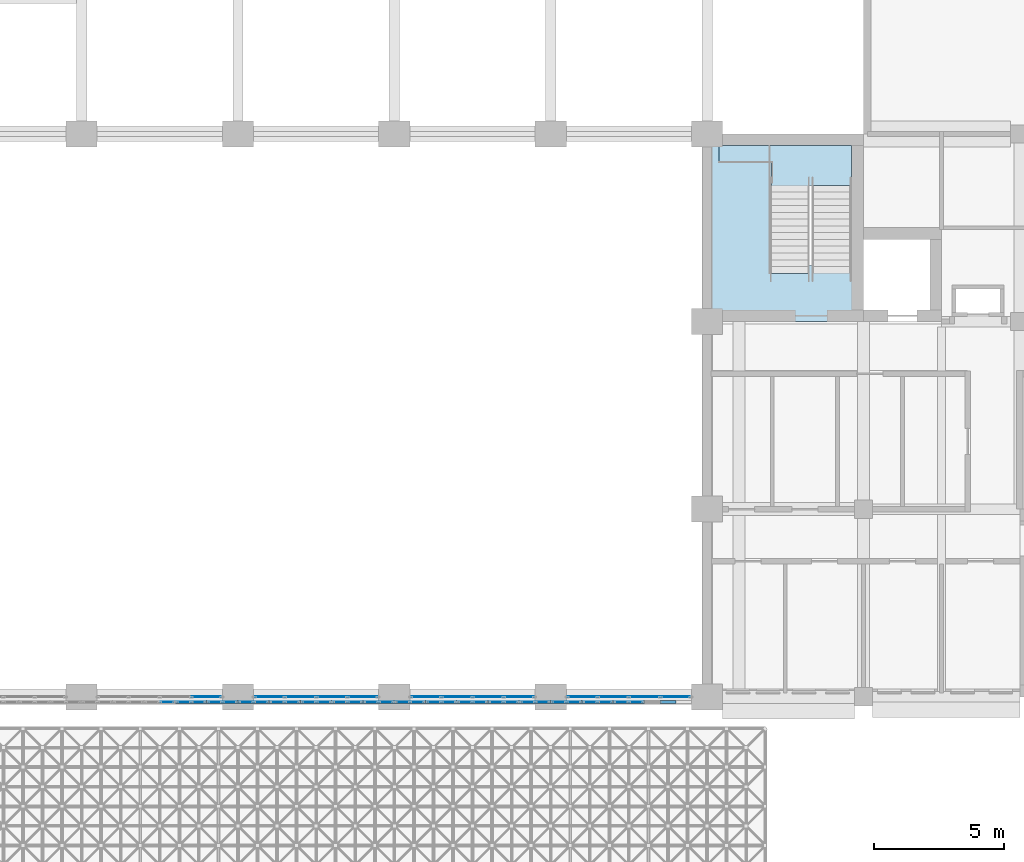
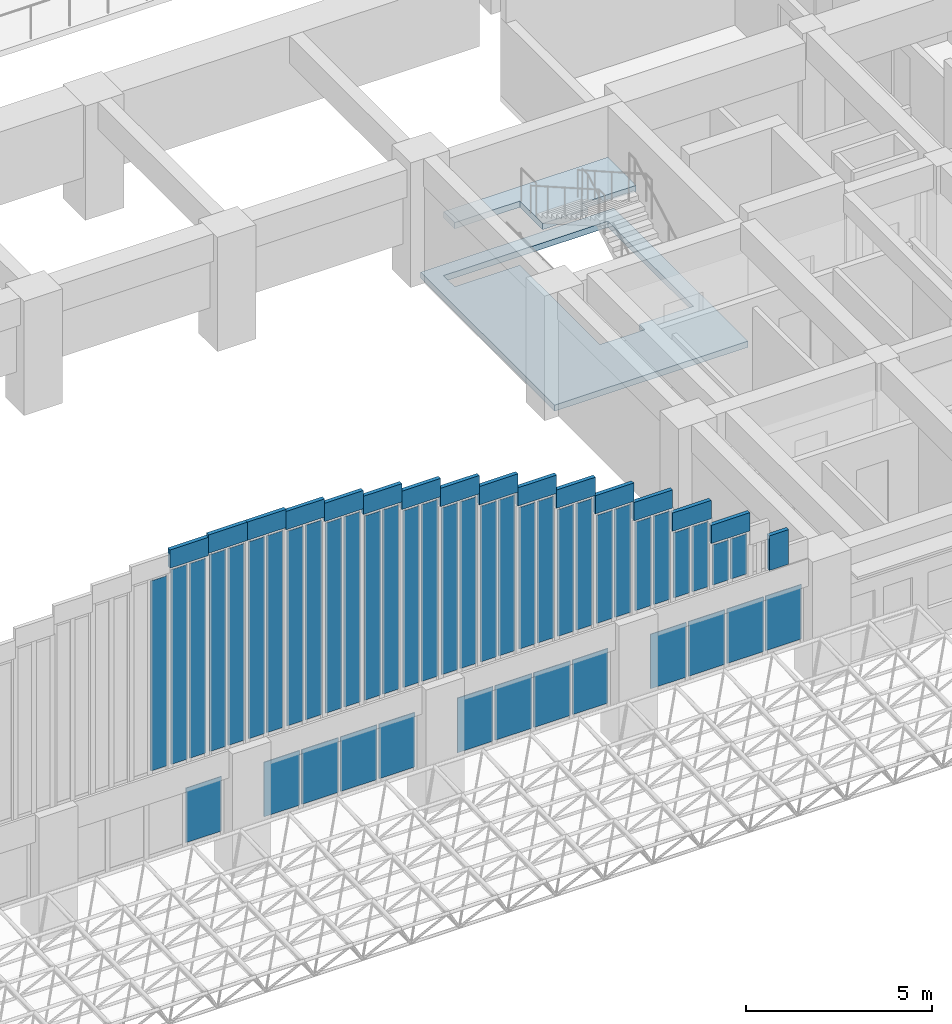
# One storey, part 47 of 103: 60 plates, 2 slabs, 21 elements without a shape of their own.
"""IFC4 building model written with IfcOpenShell, lengths in metres."""

from ifc_helpers import new_model, si_unit, direction, frame, origin, origin_2d, place, context, subcontext, project, spatial, polyline, rectangle, outline, extrude, material, layer, layer_set, type_object, element, aggregate, save


model = new_model("IFC4")

# Units and contexts
model_context = context("Model", 3, precision=1e-05, world=origin(), true_north=direction((0.0, 1.0)))
body_context = subcontext(model_context, "Body", "Model", "MODEL_VIEW")
ifc_project = project(units=[si_unit("LENGTHUNIT", "METRE"), si_unit("AREAUNIT", "SQUARE_METRE"), si_unit("VOLUMEUNIT", "CUBIC_METRE"), si_unit("PLANEANGLEUNIT", "RADIAN"), si_unit("MASSUNIT", "GRAM", prefix="KILO")], contexts=[model_context])

# Site, building, storey
site_placement = place(None, origin())
site = spatial("IfcSite", under=ifc_project, at=site_placement, CompositionType="ELEMENT")
building_placement = place(site_placement, origin())
building = spatial("IfcBuilding", under=site, at=building_placement, Name="Laocheng Heights Fire and Rescue Headquarters", CompositionType="ELEMENT")
storey_placement = place(building_placement, frame((0.0, 0.0, 4.199951171875)))
storey = spatial("IfcBuildingStorey", under=building, at=storey_placement, Name="L01", CompositionType="ELEMENT", Elevation=4.199951171875)

# Plates
ifc_material_1 = material(Name="Aluminium shadow-box panel, insulated and back-painted", Category="aluminium")
ifc_layer_1 = layer(ifc_material_1, 0.1201171875)
ifc_layer_set_1 = layer_set([ifc_layer_1], Name="Aluminium shadow-box panel, insulated and back-painted")
plate_type_1 = type_object("IfcPlateType", Name="GABLE STEP PLATE 120", PredefinedType="SHEET", material=ifc_layer_set_1)
for number, where, z_axis, x_axis, name in (
    (1, (34.199951171875, -0.196533203125, 10.676025390625), (0.0, 0.0, 1.0), (1.0, 0.0, 0.0), "Gable step plate S15"),
    (2, (35.39990234375, -0.196533203125, 10.7490234375), (0.0, 0.0, 1.0), (1.0, 0.0, 0.0), "Gable step plate S16"),
    (3, (36.60009765625, -0.196533203125, 10.7490234375), (0.0, 0.0, 1.0), (1.0, 0.0, 0.0), "Gable step plate S17"),
    (4, (37.800048828125, -0.196533203125, 10.676025390625), (0.0, 0.0, 1.0), (1.0, 0.0, 0.0), "Gable step plate S18"),
    (5, (39.0, -0.196533203125, 10.528076171875), (0.0, 0.0, 1.0), (1.0, 0.0, 0.0), "Gable step plate S19"),
    (6, (40.199951171875, -0.196533203125, 10.3359375), (0.0, 0.0, 1.0), (1.0, 0.0, 0.0), "Gable step plate S20"),
    (7, (41.39990234375, -0.196533203125, 10.0849609375), (0.0, 0.0, 1.0), (1.0, 0.0, 0.0), "Gable step plate S21"),
    (8, (42.60009765625, -0.196533203125, 9.759033203125), (0.0, 0.0, 1.0), (1.0, 0.0, 0.0), "Gable step plate S22"),
    (9, (43.800048828125, -0.196533203125, 9.39599609375), (0.0, 0.0, 1.0), (1.0, 0.0, 0.0), "Gable step plate S23"),
    (10, (45.0, -0.196533203125, 8.93603515625), (0.0, 0.0, 1.0), (1.0, 0.0, 0.0), "Gable step plate S24"),
    (11, (46.199951171875, -0.196533203125, 8.443115234375), (0.0, 0.0, 1.0), (1.0, 0.0, 0.0), "Gable step plate S25"),
    (12, (47.39990234375, -0.196533203125, 7.8359375), (0.0, 0.0, 1.0), (1.0, 0.0, 0.0), "Gable step plate S26"),
    (13, (48.60009765625, -0.196533203125, 7.18994140625), (0.0, 0.0, 1.0), (1.0, 0.0, 0.0), "Gable step plate S27"),
    (14, (49.800048828125, -0.196533203125, 6.426025390625), (0.0, 0.0, 1.0), (1.0, 0.0, 0.0), "Gable step plate S28"),
    (15, (51.0, -0.196533203125, 5.60205078125), (0.0, 0.0, 1.0), (1.0, 0.0, 0.0), "Gable step plate S29"),
):
    element("IfcPlate", number, at=place(storey_placement, frame(where, z_axis=z_axis, x_axis=x_axis)), inside=storey, type_object=plate_type_1, Name=name, PredefinedType="SHEET", context=body_context, shape_type="SweptSolid", body=[
        extrude(rectangle(XDim=1.199951171875, YDim=0.1201171875, at=origin_2d()), origin(), (0.0, 0.0, 1.0), 0.60009765625),
    ])
plate_1_placement = place(storey_placement, frame((52.5, -0.196533203125, 4.09033203125), z_axis=(0.0, 0.0, 1.0), x_axis=(1.0, 0.0, 0.0)))
element("IfcPlate", 16, at=plate_1_placement, inside=storey, type_object=plate_type_1, Name="Gable step plate S31", PredefinedType="SHEET", context=body_context, shape_type="SweptSolid", body=[
    extrude(rectangle(XDim=0.60009765625, YDim=0.1201171875, at=origin_2d()), origin(), (0.0, 0.0, 1.0), 1.134521484375),
])

# Curtain wall, plate
ifc_material_2 = material(Name="Aluminium gable glazing, low-e double glazing", Category="aluminium")
curtain_wall_type_1 = type_object("IfcCurtainWallType", Name="GABLE SPANDREL GLAZED UNIT 4800 x 1990", PredefinedType="NOTDEFINED", material=ifc_material_2)
curtain_wall_1_placement = place(storey_placement, origin())
curtain_wall_1 = element("IfcCurtainWall", 17, at=curtain_wall_1_placement, inside=storey, type_object=curtain_wall_type_1, Name="Gable spandrel glazing S3", PredefinedType="NOTDEFINED")
ifc_material_3 = material(Name="Low-e double glazed unit, laminated inner pane")
ifc_layer_2 = layer(ifc_material_3, 0.028076171875)
ifc_layer_set_2 = layer_set([ifc_layer_2], Name="Low-e double glazed unit, laminated inner pane")
plate_type_2 = type_object("IfcPlateType", Name="GABLE VISION PANEL 28", PredefinedType="CURTAIN_PANEL", material=ifc_layer_set_2)
plate_2_placement = place(storey_placement, frame((34.784912109375, 0.0, 1.300048828125), z_axis=(0.0, 0.0, 1.0), x_axis=(1.0, 0.0, 0.0)))
plate_2 = element("IfcPlate", 18, at=plate_2_placement, type_object=plate_type_2, Name="X1-D panel 4.1", PredefinedType="CURTAIN_PANEL", context=body_context, shape_type="SweptSolid", body=[
    extrude(rectangle(XDim=1.110107421875, YDim=0.028076171875, at=origin_2d()), origin(), (0.0, 0.0, 1.0), 1.79052734375),
])
aggregate(curtain_wall_1, [plate_2])

# Curtain wall, plates
curtain_wall_2_placement = place(storey_placement, origin())
curtain_wall_2 = element("IfcCurtainWall", 19, at=curtain_wall_2_placement, inside=storey, type_object=curtain_wall_type_1, Name="Gable spandrel glazing S4", PredefinedType="NOTDEFINED")
plate_3_placement = place(storey_placement, frame((37.215087890625, 0.0, 1.300048828125), z_axis=(0.0, 0.0, 1.0), x_axis=(1.0, 0.0, 0.0)))
plate_3 = element("IfcPlate", 20, at=plate_3_placement, type_object=plate_type_2, Name="X1-D panel 1.1", PredefinedType="CURTAIN_PANEL", context=body_context, shape_type="SweptSolid", body=[
    extrude(rectangle(XDim=1.110107421875, YDim=0.028076171875, at=origin_2d()), origin(), (0.0, 0.0, 1.0), 1.79052734375),
])
plate_4_placement = place(storey_placement, frame((38.39990234375, 0.0, 1.300048828125), z_axis=(0.0, 0.0, 1.0), x_axis=(1.0, 0.0, 0.0)))
plate_4 = element("IfcPlate", 21, at=plate_4_placement, type_object=plate_type_2, Name="X1-D panel 2.1", PredefinedType="CURTAIN_PANEL", context=body_context, shape_type="SweptSolid", body=[
    extrude(rectangle(XDim=1.139892578125, YDim=0.028076171875, at=origin_2d()), origin(), (0.0, 0.0, 1.0), 1.79052734375),
])
plate_5_placement = place(storey_placement, frame((39.60009765625, 0.0, 1.300048828125), z_axis=(0.0, 0.0, 1.0), x_axis=(1.0, 0.0, 0.0)))
plate_5 = element("IfcPlate", 22, at=plate_5_placement, type_object=plate_type_2, Name="X1-D panel 3.1", PredefinedType="CURTAIN_PANEL", context=body_context, shape_type="SweptSolid", body=[
    extrude(rectangle(XDim=1.139892578125, YDim=0.028076171875, at=origin_2d()), origin(), (0.0, 0.0, 1.0), 1.79052734375),
])
plate_6_placement = place(storey_placement, frame((40.784912109375, 0.0, 1.300048828125), z_axis=(0.0, 0.0, 1.0), x_axis=(1.0, 0.0, 0.0)))
plate_6 = element("IfcPlate", 23, at=plate_6_placement, type_object=plate_type_2, Name="X1-D panel 4.1", PredefinedType="CURTAIN_PANEL", context=body_context, shape_type="SweptSolid", body=[
    extrude(rectangle(XDim=1.110107421875, YDim=0.028076171875, at=origin_2d()), origin(), (0.0, 0.0, 1.0), 1.79052734375),
])
aggregate(curtain_wall_2, [plate_3, plate_4, plate_5, plate_6])

curtain_wall_3_placement = place(storey_placement, origin())
curtain_wall_3 = element("IfcCurtainWall", 24, at=curtain_wall_3_placement, inside=storey, type_object=curtain_wall_type_1, Name="Gable spandrel glazing S5", PredefinedType="NOTDEFINED")
plate_7_placement = place(storey_placement, frame((43.215087890625, 0.0, 1.300048828125), z_axis=(0.0, 0.0, 1.0), x_axis=(1.0, 0.0, 0.0)))
plate_7 = element("IfcPlate", 25, at=plate_7_placement, type_object=plate_type_2, Name="X1-D panel 1.1", PredefinedType="CURTAIN_PANEL", context=body_context, shape_type="SweptSolid", body=[
    extrude(rectangle(XDim=1.110107421875, YDim=0.028076171875, at=origin_2d()), origin(), (0.0, 0.0, 1.0), 1.79052734375),
])
plate_8_placement = place(storey_placement, frame((44.39990234375, 0.0, 1.300048828125), z_axis=(0.0, 0.0, 1.0), x_axis=(1.0, 0.0, 0.0)))
plate_8 = element("IfcPlate", 26, at=plate_8_placement, type_object=plate_type_2, Name="X1-D panel 2.1", PredefinedType="CURTAIN_PANEL", context=body_context, shape_type="SweptSolid", body=[
    extrude(rectangle(XDim=1.139892578125, YDim=0.028076171875, at=origin_2d()), origin(), (0.0, 0.0, 1.0), 1.79052734375),
])
plate_9_placement = place(storey_placement, frame((45.60009765625, 0.0, 1.300048828125), z_axis=(0.0, 0.0, 1.0), x_axis=(1.0, 0.0, 0.0)))
plate_9 = element("IfcPlate", 27, at=plate_9_placement, type_object=plate_type_2, Name="X1-D panel 3.1", PredefinedType="CURTAIN_PANEL", context=body_context, shape_type="SweptSolid", body=[
    extrude(rectangle(XDim=1.139892578125, YDim=0.028076171875, at=origin_2d()), origin(), (0.0, 0.0, 1.0), 1.79052734375),
])
plate_10_placement = place(storey_placement, frame((46.784912109375, 0.0, 1.300048828125), z_axis=(0.0, 0.0, 1.0), x_axis=(1.0, 0.0, 0.0)))
plate_10 = element("IfcPlate", 28, at=plate_10_placement, type_object=plate_type_2, Name="X1-D panel 4.1", PredefinedType="CURTAIN_PANEL", context=body_context, shape_type="SweptSolid", body=[
    extrude(rectangle(XDim=1.110107421875, YDim=0.028076171875, at=origin_2d()), origin(), (0.0, 0.0, 1.0), 1.79052734375),
])
aggregate(curtain_wall_3, [plate_7, plate_8, plate_9, plate_10])

curtain_wall_4_placement = place(storey_placement, origin())
curtain_wall_4 = element("IfcCurtainWall", 29, at=curtain_wall_4_placement, inside=storey, type_object=curtain_wall_type_1, Name="Gable spandrel glazing S6", PredefinedType="NOTDEFINED")
plate_11_placement = place(storey_placement, frame((49.215087890625, 0.0, 1.300048828125), z_axis=(0.0, 0.0, 1.0), x_axis=(1.0, 0.0, 0.0)))
plate_11 = element("IfcPlate", 30, at=plate_11_placement, type_object=plate_type_2, Name="X1-D panel 1.1", PredefinedType="CURTAIN_PANEL", context=body_context, shape_type="SweptSolid", body=[
    extrude(rectangle(XDim=1.110107421875, YDim=0.028076171875, at=origin_2d()), origin(), (0.0, 0.0, 1.0), 1.79052734375),
])
plate_12_placement = place(storey_placement, frame((50.39990234375, 0.0, 1.300048828125), z_axis=(0.0, 0.0, 1.0), x_axis=(1.0, 0.0, 0.0)))
plate_12 = element("IfcPlate", 31, at=plate_12_placement, type_object=plate_type_2, Name="X1-D panel 2.1", PredefinedType="CURTAIN_PANEL", context=body_context, shape_type="SweptSolid", body=[
    extrude(rectangle(XDim=1.139892578125, YDim=0.028076171875, at=origin_2d()), origin(), (0.0, 0.0, 1.0), 1.79052734375),
])
plate_13_placement = place(storey_placement, frame((51.60009765625, 0.0, 1.300048828125), z_axis=(0.0, 0.0, 1.0), x_axis=(1.0, 0.0, 0.0)))
plate_13 = element("IfcPlate", 32, at=plate_13_placement, type_object=plate_type_2, Name="X1-D panel 3.1", PredefinedType="CURTAIN_PANEL", context=body_context, shape_type="SweptSolid", body=[
    extrude(rectangle(XDim=1.139892578125, YDim=0.028076171875, at=origin_2d()), origin(), (0.0, 0.0, 1.0), 1.79052734375),
])
plate_14_placement = place(storey_placement, frame((52.784912109375, 0.0, 1.300048828125), z_axis=(0.0, 0.0, 1.0), x_axis=(1.0, 0.0, 0.0)))
plate_14 = element("IfcPlate", 33, at=plate_14_placement, type_object=plate_type_2, Name="X1-D panel 4.1", PredefinedType="CURTAIN_PANEL", context=body_context, shape_type="SweptSolid", body=[
    extrude(rectangle(XDim=1.110107421875, YDim=0.028076171875, at=origin_2d()), origin(), (0.0, 0.0, 1.0), 1.79052734375),
])
aggregate(curtain_wall_4, [plate_11, plate_12, plate_13, plate_14])

# Curtain wall, plate
ifc_material_4 = material(Name="Aluminium gable glazing, low-e double glazing", Category="aluminium")
curtain_wall_type_2 = type_object("IfcCurtainWallType", Name="GABLE GLAZED UNIT 1200 x 6438", PredefinedType="NOTDEFINED", material=ifc_material_4)
curtain_wall_5_placement = place(storey_placement, origin())
curtain_wall_5 = element("IfcCurtainWall", 34, at=curtain_wall_5_placement, inside=storey, type_object=curtain_wall_type_2, Name="Gable glazing S14", PredefinedType="NOTDEFINED")
plate_15_placement = place(storey_placement, frame((33.284912109375, -0.196533203125, 4.1904296875), z_axis=(0.0, 0.0, 1.0), x_axis=(1.0, 0.0, 0.0)))
plate_15 = element("IfcPlate", 35, at=plate_15_placement, type_object=plate_type_2, Name="X13-D panel 2.1", PredefinedType="CURTAIN_PANEL", context=body_context, shape_type="SweptSolid", body=[
    extrude(rectangle(XDim=0.510009765625, YDim=0.028076171875, at=origin_2d()), origin(), (0.0, 0.0, 1.0), 6.237548828125),
])
aggregate(curtain_wall_5, [plate_15])

# Curtain wall, plates
ifc_material_5 = material(Name="Aluminium gable glazing, low-e double glazing", Category="aluminium")
curtain_wall_type_3 = type_object("IfcCurtainWallType", Name="GABLE GLAZED UNIT 1200 x 6586", PredefinedType="NOTDEFINED", material=ifc_material_5)
curtain_wall_6_placement = place(storey_placement, origin())
curtain_wall_6 = element("IfcCurtainWall", 36, at=curtain_wall_6_placement, inside=storey, type_object=curtain_wall_type_3, Name="Gable glazing S15", PredefinedType="NOTDEFINED")
plate_16_placement = place(storey_placement, frame((33.9150390625, -0.196533203125, 4.1904296875), z_axis=(0.0, 0.0, 1.0), x_axis=(1.0, 0.0, 0.0)))
plate_16 = element("IfcPlate", 37, at=plate_16_placement, type_object=plate_type_2, Name="X14-D panel 1.1", PredefinedType="CURTAIN_PANEL", context=body_context, shape_type="SweptSolid", body=[
    extrude(rectangle(XDim=0.510009765625, YDim=0.028076171875, at=origin_2d()), origin(), (0.0, 0.0, 1.0), 6.385498046875),
])
plate_17_placement = place(storey_placement, frame((34.485107421875, -0.196533203125, 4.1904296875), z_axis=(0.0, 0.0, 1.0), x_axis=(1.0, 0.0, 0.0)))
plate_17 = element("IfcPlate", 38, at=plate_17_placement, type_object=plate_type_2, Name="X14-D panel 2.1", PredefinedType="CURTAIN_PANEL", context=body_context, shape_type="SweptSolid", body=[
    extrude(rectangle(XDim=0.510009765625, YDim=0.028076171875, at=origin_2d()), origin(), (0.0, 0.0, 1.0), 6.385498046875),
])
aggregate(curtain_wall_6, [plate_16, plate_17])

ifc_material_6 = material(Name="Aluminium gable glazing, low-e double glazing", Category="aluminium")
curtain_wall_type_4 = type_object("IfcCurtainWallType", Name="GABLE GLAZED UNIT 1200 x 6658", PredefinedType="NOTDEFINED", material=ifc_material_6)
curtain_wall_7_placement = place(storey_placement, origin())
curtain_wall_7 = element("IfcCurtainWall", 39, at=curtain_wall_7_placement, inside=storey, type_object=curtain_wall_type_4, Name="Gable glazing S16", PredefinedType="NOTDEFINED")
plate_18_placement = place(storey_placement, frame((35.114990234375, -0.196533203125, 4.1904296875), z_axis=(0.0, 0.0, 1.0), x_axis=(1.0, 0.0, 0.0)))
plate_18 = element("IfcPlate", 40, at=plate_18_placement, type_object=plate_type_2, Name="X15-D panel 1.1", PredefinedType="CURTAIN_PANEL", context=body_context, shape_type="SweptSolid", body=[
    extrude(rectangle(XDim=0.510009765625, YDim=0.028076171875, at=origin_2d()), origin(), (0.0, 0.0, 1.0), 6.45849609375),
])
plate_19_placement = place(storey_placement, frame((35.68505859375, -0.196533203125, 4.1904296875), z_axis=(0.0, 0.0, 1.0), x_axis=(1.0, 0.0, 0.0)))
plate_19 = element("IfcPlate", 41, at=plate_19_placement, type_object=plate_type_2, Name="X15-D panel 2.1", PredefinedType="CURTAIN_PANEL", context=body_context, shape_type="SweptSolid", body=[
    extrude(rectangle(XDim=0.510009765625, YDim=0.028076171875, at=origin_2d()), origin(), (0.0, 0.0, 1.0), 6.45849609375),
])
aggregate(curtain_wall_7, [plate_18, plate_19])

curtain_wall_8_placement = place(storey_placement, origin())
curtain_wall_8 = element("IfcCurtainWall", 42, at=curtain_wall_8_placement, inside=storey, type_object=curtain_wall_type_4, Name="Gable glazing S17", PredefinedType="NOTDEFINED")
plate_20_placement = place(storey_placement, frame((36.31494140625, -0.196533203125, 4.1904296875), z_axis=(0.0, 0.0, 1.0), x_axis=(1.0, 0.0, 0.0)))
plate_20 = element("IfcPlate", 43, at=plate_20_placement, type_object=plate_type_2, Name="X15-D panel 1.1", PredefinedType="CURTAIN_PANEL", context=body_context, shape_type="SweptSolid", body=[
    extrude(rectangle(XDim=0.510009765625, YDim=0.028076171875, at=origin_2d()), origin(), (0.0, 0.0, 1.0), 6.45849609375),
])
plate_21_placement = place(storey_placement, frame((36.885009765625, -0.196533203125, 4.1904296875), z_axis=(0.0, 0.0, 1.0), x_axis=(1.0, 0.0, 0.0)))
plate_21 = element("IfcPlate", 44, at=plate_21_placement, type_object=plate_type_2, Name="X15-D panel 2.1", PredefinedType="CURTAIN_PANEL", context=body_context, shape_type="SweptSolid", body=[
    extrude(rectangle(XDim=0.510009765625, YDim=0.028076171875, at=origin_2d()), origin(), (0.0, 0.0, 1.0), 6.45849609375),
])
aggregate(curtain_wall_8, [plate_20, plate_21])

curtain_wall_9_placement = place(storey_placement, origin())
curtain_wall_9 = element("IfcCurtainWall", 45, at=curtain_wall_9_placement, inside=storey, type_object=curtain_wall_type_3, Name="Gable glazing S18", PredefinedType="NOTDEFINED")
plate_22_placement = place(storey_placement, frame((37.514892578125, -0.196533203125, 4.1904296875), z_axis=(0.0, 0.0, 1.0), x_axis=(1.0, 0.0, 0.0)))
plate_22 = element("IfcPlate", 46, at=plate_22_placement, type_object=plate_type_2, Name="X14-D panel 1.1", PredefinedType="CURTAIN_PANEL", context=body_context, shape_type="SweptSolid", body=[
    extrude(rectangle(XDim=0.510009765625, YDim=0.028076171875, at=origin_2d()), origin(), (0.0, 0.0, 1.0), 6.385498046875),
])
plate_23_placement = place(storey_placement, frame((38.0849609375, -0.196533203125, 4.1904296875), z_axis=(0.0, 0.0, 1.0), x_axis=(1.0, 0.0, 0.0)))
plate_23 = element("IfcPlate", 47, at=plate_23_placement, type_object=plate_type_2, Name="X14-D panel 2.1", PredefinedType="CURTAIN_PANEL", context=body_context, shape_type="SweptSolid", body=[
    extrude(rectangle(XDim=0.510009765625, YDim=0.028076171875, at=origin_2d()), origin(), (0.0, 0.0, 1.0), 6.385498046875),
])
aggregate(curtain_wall_9, [plate_22, plate_23])

curtain_wall_10_placement = place(storey_placement, origin())
curtain_wall_10 = element("IfcCurtainWall", 48, at=curtain_wall_10_placement, inside=storey, type_object=curtain_wall_type_2, Name="Gable glazing S19", PredefinedType="NOTDEFINED")
plate_24_placement = place(storey_placement, frame((38.715087890625, -0.196533203125, 4.1904296875), z_axis=(0.0, 0.0, 1.0), x_axis=(1.0, 0.0, 0.0)))
plate_24 = element("IfcPlate", 49, at=plate_24_placement, type_object=plate_type_2, Name="X13-D panel 1.1", PredefinedType="CURTAIN_PANEL", context=body_context, shape_type="SweptSolid", body=[
    extrude(rectangle(XDim=0.510009765625, YDim=0.028076171875, at=origin_2d()), origin(), (0.0, 0.0, 1.0), 6.237548828125),
])
plate_25_placement = place(storey_placement, frame((39.284912109375, -0.196533203125, 4.1904296875), z_axis=(0.0, 0.0, 1.0), x_axis=(1.0, 0.0, 0.0)))
plate_25 = element("IfcPlate", 50, at=plate_25_placement, type_object=plate_type_2, Name="X13-D panel 2.1", PredefinedType="CURTAIN_PANEL", context=body_context, shape_type="SweptSolid", body=[
    extrude(rectangle(XDim=0.510009765625, YDim=0.028076171875, at=origin_2d()), origin(), (0.0, 0.0, 1.0), 6.237548828125),
])
aggregate(curtain_wall_10, [plate_24, plate_25])

ifc_material_7 = material(Name="Aluminium gable glazing, low-e double glazing", Category="aluminium")
curtain_wall_type_5 = type_object("IfcCurtainWallType", Name="GABLE GLAZED UNIT 1200 x 6246", PredefinedType="NOTDEFINED", material=ifc_material_7)
curtain_wall_11_placement = place(storey_placement, origin())
curtain_wall_11 = element("IfcCurtainWall", 51, at=curtain_wall_11_placement, inside=storey, type_object=curtain_wall_type_5, Name="Gable glazing S20", PredefinedType="NOTDEFINED")
plate_26_placement = place(storey_placement, frame((39.9150390625, -0.196533203125, 4.190673828125), z_axis=(0.0, 0.0, 1.0), x_axis=(1.0, 0.0, 0.0)))
plate_26 = element("IfcPlate", 52, at=plate_26_placement, type_object=plate_type_2, Name="X12-D panel 1.1", PredefinedType="CURTAIN_PANEL", context=body_context, shape_type="SweptSolid", body=[
    extrude(rectangle(XDim=0.510009765625, YDim=0.028076171875, at=origin_2d()), origin(), (0.0, 0.0, 1.0), 6.04541015625),
])
plate_27_placement = place(storey_placement, frame((40.485107421875, -0.196533203125, 4.190673828125), z_axis=(0.0, 0.0, 1.0), x_axis=(1.0, 0.0, 0.0)))
plate_27 = element("IfcPlate", 53, at=plate_27_placement, type_object=plate_type_2, Name="X12-D panel 2.1", PredefinedType="CURTAIN_PANEL", context=body_context, shape_type="SweptSolid", body=[
    extrude(rectangle(XDim=0.510009765625, YDim=0.028076171875, at=origin_2d()), origin(), (0.0, 0.0, 1.0), 6.04541015625),
])
aggregate(curtain_wall_11, [plate_26, plate_27])

ifc_material_8 = material(Name="Aluminium gable glazing, low-e double glazing", Category="aluminium")
curtain_wall_type_6 = type_object("IfcCurtainWallType", Name="GABLE GLAZED UNIT 1200 x 5994", PredefinedType="NOTDEFINED", material=ifc_material_8)
curtain_wall_12_placement = place(storey_placement, origin())
curtain_wall_12 = element("IfcCurtainWall", 54, at=curtain_wall_12_placement, inside=storey, type_object=curtain_wall_type_6, Name="Gable glazing S21", PredefinedType="NOTDEFINED")
plate_28_placement = place(storey_placement, frame((41.114990234375, -0.196533203125, 4.190673828125), z_axis=(0.0, 0.0, 1.0), x_axis=(1.0, 0.0, 0.0)))
plate_28 = element("IfcPlate", 55, at=plate_28_placement, type_object=plate_type_2, Name="X11-D panel 1.1", PredefinedType="CURTAIN_PANEL", context=body_context, shape_type="SweptSolid", body=[
    extrude(rectangle(XDim=0.510009765625, YDim=0.028076171875, at=origin_2d()), origin(), (0.0, 0.0, 1.0), 5.79443359375),
])
plate_29_placement = place(storey_placement, frame((41.68505859375, -0.196533203125, 4.190673828125), z_axis=(0.0, 0.0, 1.0), x_axis=(1.0, 0.0, 0.0)))
plate_29 = element("IfcPlate", 56, at=plate_29_placement, type_object=plate_type_2, Name="X11-D panel 2.1", PredefinedType="CURTAIN_PANEL", context=body_context, shape_type="SweptSolid", body=[
    extrude(rectangle(XDim=0.510009765625, YDim=0.028076171875, at=origin_2d()), origin(), (0.0, 0.0, 1.0), 5.79443359375),
])
aggregate(curtain_wall_12, [plate_28, plate_29])

ifc_material_9 = material(Name="Aluminium gable glazing, low-e double glazing", Category="aluminium")
curtain_wall_type_7 = type_object("IfcCurtainWallType", Name="GABLE GLAZED UNIT 1200 x 5668", PredefinedType="NOTDEFINED", material=ifc_material_9)
curtain_wall_13_placement = place(storey_placement, origin())
curtain_wall_13 = element("IfcCurtainWall", 57, at=curtain_wall_13_placement, inside=storey, type_object=curtain_wall_type_7, Name="Gable glazing S22", PredefinedType="NOTDEFINED")
plate_30_placement = place(storey_placement, frame((42.31494140625, -0.196533203125, 4.1904296875), z_axis=(0.0, 0.0, 1.0), x_axis=(1.0, 0.0, 0.0)))
plate_30 = element("IfcPlate", 58, at=plate_30_placement, type_object=plate_type_2, Name="X10-D panel 1.1", PredefinedType="CURTAIN_PANEL", context=body_context, shape_type="SweptSolid", body=[
    extrude(rectangle(XDim=0.510009765625, YDim=0.028076171875, at=origin_2d()), origin(), (0.0, 0.0, 1.0), 5.468505859375),
])
plate_31_placement = place(storey_placement, frame((42.885009765625, -0.196533203125, 4.1904296875), z_axis=(0.0, 0.0, 1.0), x_axis=(1.0, 0.0, 0.0)))
plate_31 = element("IfcPlate", 59, at=plate_31_placement, type_object=plate_type_2, Name="X10-D panel 2.1", PredefinedType="CURTAIN_PANEL", context=body_context, shape_type="SweptSolid", body=[
    extrude(rectangle(XDim=0.510009765625, YDim=0.028076171875, at=origin_2d()), origin(), (0.0, 0.0, 1.0), 5.468505859375),
])
aggregate(curtain_wall_13, [plate_30, plate_31])

ifc_material_10 = material(Name="Aluminium gable glazing, low-e double glazing", Category="aluminium")
curtain_wall_type_8 = type_object("IfcCurtainWallType", Name="GABLE GLAZED UNIT 1200 x 5306", PredefinedType="NOTDEFINED", material=ifc_material_10)
curtain_wall_14_placement = place(storey_placement, origin())
curtain_wall_14 = element("IfcCurtainWall", 60, at=curtain_wall_14_placement, inside=storey, type_object=curtain_wall_type_8, Name="Gable glazing S23", PredefinedType="NOTDEFINED")
plate_32_placement = place(storey_placement, frame((43.514892578125, -0.196533203125, 4.190673828125), z_axis=(0.0, 0.0, 1.0), x_axis=(1.0, 0.0, 0.0)))
plate_32 = element("IfcPlate", 61, at=plate_32_placement, type_object=plate_type_2, Name="X9-D panel 1.1", PredefinedType="CURTAIN_PANEL", context=body_context, shape_type="SweptSolid", body=[
    extrude(rectangle(XDim=0.510009765625, YDim=0.028076171875, at=origin_2d()), origin(), (0.0, 0.0, 1.0), 5.10546875),
])
plate_33_placement = place(storey_placement, frame((44.0849609375, -0.196533203125, 4.190673828125), z_axis=(0.0, 0.0, 1.0), x_axis=(1.0, 0.0, 0.0)))
plate_33 = element("IfcPlate", 62, at=plate_33_placement, type_object=plate_type_2, Name="X9-D panel 2.1", PredefinedType="CURTAIN_PANEL", context=body_context, shape_type="SweptSolid", body=[
    extrude(rectangle(XDim=0.510009765625, YDim=0.028076171875, at=origin_2d()), origin(), (0.0, 0.0, 1.0), 5.10546875),
])
aggregate(curtain_wall_14, [plate_32, plate_33])

ifc_material_11 = material(Name="Aluminium gable glazing, low-e double glazing", Category="aluminium")
curtain_wall_type_9 = type_object("IfcCurtainWallType", Name="GABLE GLAZED UNIT 1200 x 4846", PredefinedType="NOTDEFINED", material=ifc_material_11)
curtain_wall_15_placement = place(storey_placement, origin())
curtain_wall_15 = element("IfcCurtainWall", 63, at=curtain_wall_15_placement, inside=storey, type_object=curtain_wall_type_9, Name="Gable glazing S24", PredefinedType="NOTDEFINED")
plate_34_placement = place(storey_placement, frame((44.715087890625, -0.196533203125, 4.1904296875), z_axis=(0.0, 0.0, 1.0), x_axis=(1.0, 0.0, 0.0)))
plate_34 = element("IfcPlate", 64, at=plate_34_placement, type_object=plate_type_2, Name="X8-D panel 1.1", PredefinedType="CURTAIN_PANEL", context=body_context, shape_type="SweptSolid", body=[
    extrude(rectangle(XDim=0.510009765625, YDim=0.028076171875, at=origin_2d()), origin(), (0.0, 0.0, 1.0), 4.6455078125),
])
plate_35_placement = place(storey_placement, frame((45.284912109375, -0.196533203125, 4.1904296875), z_axis=(0.0, 0.0, 1.0), x_axis=(1.0, 0.0, 0.0)))
plate_35 = element("IfcPlate", 65, at=plate_35_placement, type_object=plate_type_2, Name="X8-D panel 2.1", PredefinedType="CURTAIN_PANEL", context=body_context, shape_type="SweptSolid", body=[
    extrude(rectangle(XDim=0.510009765625, YDim=0.028076171875, at=origin_2d()), origin(), (0.0, 0.0, 1.0), 4.6455078125),
])
aggregate(curtain_wall_15, [plate_34, plate_35])

ifc_material_12 = material(Name="Aluminium gable glazing, low-e double glazing", Category="aluminium")
curtain_wall_type_10 = type_object("IfcCurtainWallType", Name="GABLE GLAZED UNIT 1200 x 4353", PredefinedType="NOTDEFINED", material=ifc_material_12)
curtain_wall_16_placement = place(storey_placement, origin())
curtain_wall_16 = element("IfcCurtainWall", 66, at=curtain_wall_16_placement, inside=storey, type_object=curtain_wall_type_10, Name="Gable glazing S25", PredefinedType="NOTDEFINED")
plate_36_placement = place(storey_placement, frame((45.9150390625, -0.196533203125, 4.1904296875), z_axis=(0.0, 0.0, 1.0), x_axis=(1.0, 0.0, 0.0)))
plate_36 = element("IfcPlate", 67, at=plate_36_placement, type_object=plate_type_2, Name="X7-D panel 1.1", PredefinedType="CURTAIN_PANEL", context=body_context, shape_type="SweptSolid", body=[
    extrude(rectangle(XDim=0.510009765625, YDim=0.028076171875, at=origin_2d()), origin(), (0.0, 0.0, 1.0), 4.152587890625),
])
plate_37_placement = place(storey_placement, frame((46.485107421875, -0.196533203125, 4.1904296875), z_axis=(0.0, 0.0, 1.0), x_axis=(1.0, 0.0, 0.0)))
plate_37 = element("IfcPlate", 68, at=plate_37_placement, type_object=plate_type_2, Name="X7-D panel 2.1", PredefinedType="CURTAIN_PANEL", context=body_context, shape_type="SweptSolid", body=[
    extrude(rectangle(XDim=0.510009765625, YDim=0.028076171875, at=origin_2d()), origin(), (0.0, 0.0, 1.0), 4.152587890625),
])
aggregate(curtain_wall_16, [plate_36, plate_37])

ifc_material_13 = material(Name="Aluminium gable glazing, low-e double glazing", Category="aluminium")
curtain_wall_type_11 = type_object("IfcCurtainWallType", Name="GABLE GLAZED UNIT 1200 x 3746", PredefinedType="NOTDEFINED", material=ifc_material_13)
curtain_wall_17_placement = place(storey_placement, origin())
curtain_wall_17 = element("IfcCurtainWall", 69, at=curtain_wall_17_placement, inside=storey, type_object=curtain_wall_type_11, Name="Gable glazing S26", PredefinedType="NOTDEFINED")
plate_38_placement = place(storey_placement, frame((47.114990234375, -0.196533203125, 4.190673828125), z_axis=(0.0, 0.0, 1.0), x_axis=(1.0, 0.0, 0.0)))
plate_38 = element("IfcPlate", 70, at=plate_38_placement, type_object=plate_type_2, Name="X6-D panel 1.1", PredefinedType="CURTAIN_PANEL", context=body_context, shape_type="SweptSolid", body=[
    extrude(rectangle(XDim=0.510009765625, YDim=0.028076171875, at=origin_2d()), origin(), (0.0, 0.0, 1.0), 3.54541015625),
])
plate_39_placement = place(storey_placement, frame((47.68505859375, -0.196533203125, 4.190673828125), z_axis=(0.0, 0.0, 1.0), x_axis=(1.0, 0.0, 0.0)))
plate_39 = element("IfcPlate", 71, at=plate_39_placement, type_object=plate_type_2, Name="X6-D panel 2.1", PredefinedType="CURTAIN_PANEL", context=body_context, shape_type="SweptSolid", body=[
    extrude(rectangle(XDim=0.510009765625, YDim=0.028076171875, at=origin_2d()), origin(), (0.0, 0.0, 1.0), 3.54541015625),
])
aggregate(curtain_wall_17, [plate_38, plate_39])

ifc_material_14 = material(Name="Aluminium gable glazing, low-e double glazing", Category="aluminium")
curtain_wall_type_12 = type_object("IfcCurtainWallType", Name="GABLE GLAZED UNIT 1200 x 3100", PredefinedType="NOTDEFINED", material=ifc_material_14)
curtain_wall_18_placement = place(storey_placement, origin())
curtain_wall_18 = element("IfcCurtainWall", 72, at=curtain_wall_18_placement, inside=storey, type_object=curtain_wall_type_12, Name="Gable glazing S27", PredefinedType="NOTDEFINED")
plate_40_placement = place(storey_placement, frame((48.31494140625, -0.196533203125, 4.190673828125), z_axis=(0.0, 0.0, 1.0), x_axis=(1.0, 0.0, 0.0)))
plate_40 = element("IfcPlate", 73, at=plate_40_placement, type_object=plate_type_2, Name="X5-D panel 1.1", PredefinedType="CURTAIN_PANEL", context=body_context, shape_type="SweptSolid", body=[
    extrude(rectangle(XDim=0.510009765625, YDim=0.028076171875, at=origin_2d()), origin(), (0.0, 0.0, 1.0), 2.8994140625),
])
plate_41_placement = place(storey_placement, frame((48.885009765625, -0.196533203125, 4.190673828125), z_axis=(0.0, 0.0, 1.0), x_axis=(1.0, 0.0, 0.0)))
plate_41 = element("IfcPlate", 74, at=plate_41_placement, type_object=plate_type_2, Name="X5-D panel 2.1", PredefinedType="CURTAIN_PANEL", context=body_context, shape_type="SweptSolid", body=[
    extrude(rectangle(XDim=0.510009765625, YDim=0.028076171875, at=origin_2d()), origin(), (0.0, 0.0, 1.0), 2.8994140625),
])
aggregate(curtain_wall_18, [plate_40, plate_41])

ifc_material_15 = material(Name="Aluminium gable glazing, low-e double glazing", Category="aluminium")
curtain_wall_type_13 = type_object("IfcCurtainWallType", Name="GABLE GLAZED UNIT 1200 x 2336", PredefinedType="NOTDEFINED", material=ifc_material_15)
curtain_wall_19_placement = place(storey_placement, origin())
curtain_wall_19 = element("IfcCurtainWall", 75, at=curtain_wall_19_placement, inside=storey, type_object=curtain_wall_type_13, Name="Gable glazing S28", PredefinedType="NOTDEFINED")
plate_42_placement = place(storey_placement, frame((49.514892578125, -0.196533203125, 4.1904296875), z_axis=(0.0, 0.0, 1.0), x_axis=(1.0, 0.0, 0.0)))
plate_42 = element("IfcPlate", 76, at=plate_42_placement, type_object=plate_type_2, Name="X4-D panel 1.1", PredefinedType="CURTAIN_PANEL", context=body_context, shape_type="SweptSolid", body=[
    extrude(rectangle(XDim=0.510009765625, YDim=0.028076171875, at=origin_2d()), origin(), (0.0, 0.0, 1.0), 2.135498046875),
])
plate_43_placement = place(storey_placement, frame((50.0849609375, -0.196533203125, 4.1904296875), z_axis=(0.0, 0.0, 1.0), x_axis=(1.0, 0.0, 0.0)))
plate_43 = element("IfcPlate", 77, at=plate_43_placement, type_object=plate_type_2, Name="X4-D panel 2.1", PredefinedType="CURTAIN_PANEL", context=body_context, shape_type="SweptSolid", body=[
    extrude(rectangle(XDim=0.510009765625, YDim=0.028076171875, at=origin_2d()), origin(), (0.0, 0.0, 1.0), 2.135498046875),
])
aggregate(curtain_wall_19, [plate_42, plate_43])

ifc_material_16 = material(Name="Aluminium gable glazing, low-e double glazing", Category="aluminium")
curtain_wall_type_14 = type_object("IfcCurtainWallType", Name="GABLE GLAZED UNIT 1200 x 1511", PredefinedType="NOTDEFINED", material=ifc_material_16)
curtain_wall_20_placement = place(storey_placement, origin())
curtain_wall_20 = element("IfcCurtainWall", 78, at=curtain_wall_20_placement, inside=storey, type_object=curtain_wall_type_14, Name="Gable glazing S29", PredefinedType="NOTDEFINED")
plate_44_placement = place(storey_placement, frame((50.715087890625, -0.196533203125, 4.1904296875), z_axis=(0.0, 0.0, 1.0), x_axis=(1.0, 0.0, 0.0)))
plate_44 = element("IfcPlate", 79, at=plate_44_placement, type_object=plate_type_2, Name="X3-D panel 1.1", PredefinedType="CURTAIN_PANEL", context=body_context, shape_type="SweptSolid", body=[
    extrude(rectangle(XDim=0.510009765625, YDim=0.028076171875, at=origin_2d()), origin(), (0.0, 0.0, 1.0), 1.3115234375),
])
plate_45_placement = place(storey_placement, frame((51.284912109375, -0.196533203125, 4.1904296875), z_axis=(0.0, 0.0, 1.0), x_axis=(1.0, 0.0, 0.0)))
plate_45 = element("IfcPlate", 80, at=plate_45_placement, type_object=plate_type_2, Name="X3-D panel 2.1", PredefinedType="CURTAIN_PANEL", context=body_context, shape_type="SweptSolid", body=[
    extrude(rectangle(XDim=0.510009765625, YDim=0.028076171875, at=origin_2d()), origin(), (0.0, 0.0, 1.0), 1.3115234375),
])
aggregate(curtain_wall_20, [plate_44, plate_45])

# Stair, slabs
ifc_material_17 = material(Name="Concrete C40", Category="concrete")
stair_type = type_object("IfcStairType", Name="RC STAIR 1400 TWO FLIGHTS 28 RISERS OF 150 GOING 260", PredefinedType="HALF_TURN_STAIR", material=ifc_material_17)
stair_placement = place(storey_placement, origin())
stair = element("IfcStair", 81, at=stair_placement, inside=storey, type_object=stair_type, Name="Stair E1 (L01 to L02)", PredefinedType="HALF_TURN_STAIR")
ifc_material_18 = material(Name="Concrete C40", Category="concrete")
ifc_layer_3 = layer(ifc_material_18, 0.199951171875)
ifc_layer_set_3 = layer_set([ifc_layer_3], Name="Concrete C40")
slab_type_1 = type_object("IfcSlabType", Name="STAIR FLOOR LANDING 200", PredefinedType="LANDING", material=ifc_layer_set_3)
slab_1_placement = place(storey_placement, frame((0.0, 0.0, -0.199951171875)))
slab_1 = element("IfcSlab", 82, at=slab_1_placement, type_object=slab_type_1, Name="Stair E1 floor landing L01", PredefinedType="LANDING", context=body_context, shape_type="SweptSolid", body=[
    extrude(outline(polyline([(54.0, 21.60009765625), (60.0, 21.60009765625), (60.0, 14.39990234375), (54.0, 14.39990234375), (54.0, 21.60009765625)]), holes=[polyline([(56.47509765625, 21.14990234375), (54.449951171875, 21.14990234375), (54.449951171875, 20.550048828125), (56.47509765625, 20.550048828125), (56.47509765625, 19.329833984375), (56.47509765625, 16.2529296875), (57.875, 16.2529296875), (57.875, 16.550048828125), (59.550048828125, 16.550048828125), (59.550048828125, 19.626953125), (59.550048828125, 21.14990234375), (57.875, 21.14990234375), (56.47509765625, 21.14990234375)])]), origin(), (0.0, 0.0, 1.0), 0.199951171875),
])
ifc_material_19 = material(Name="Concrete C40", Category="concrete")
ifc_layer_4 = layer(ifc_material_19, 0.201904296875)
ifc_layer_set_4 = layer_set([ifc_layer_4], Name="Concrete C40")
slab_type_2 = type_object("IfcSlabType", Name="STAIR HALF LANDING 202", PredefinedType="LANDING", material=ifc_layer_set_4)
slab_2_placement = place(storey_placement, frame((0.0, 0.0, 1.900146484375)))
slab_2 = element("IfcSlab", 83, at=slab_2_placement, type_object=slab_type_2, Name="E1-L01 landing 1", PredefinedType="LANDING", context=body_context, shape_type="SweptSolid", body=[
    extrude(outline(polyline([(54.449951171875, 20.550048828125), (54.449951171875, 21.14990234375), (56.47509765625, 21.14990234375), (57.875, 21.14990234375), (59.550048828125, 21.14990234375), (59.550048828125, 19.626953125), (57.875, 19.626953125), (57.875, 19.329833984375), (56.47509765625, 19.329833984375), (56.47509765625, 20.550048828125), (54.449951171875, 20.550048828125)])), origin(), (0.0, 0.0, 1.0), 0.201904296875),
])
aggregate(stair, [slab_2, slab_1])

save(model, "model.ifc")
